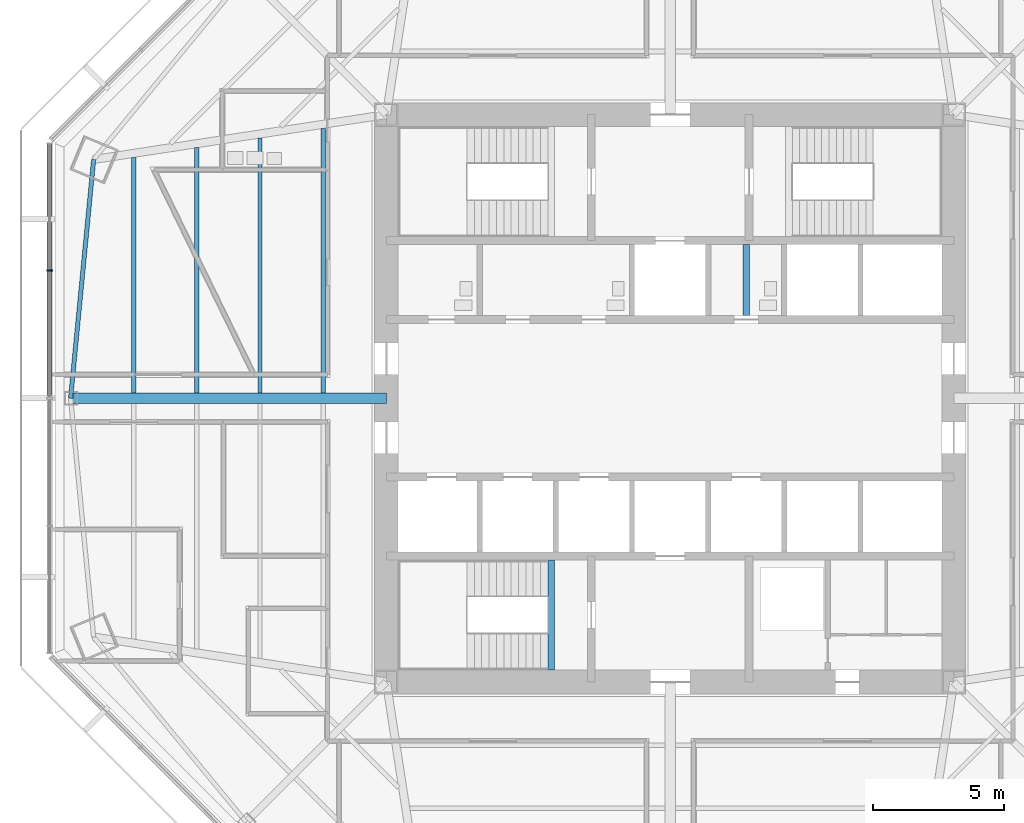
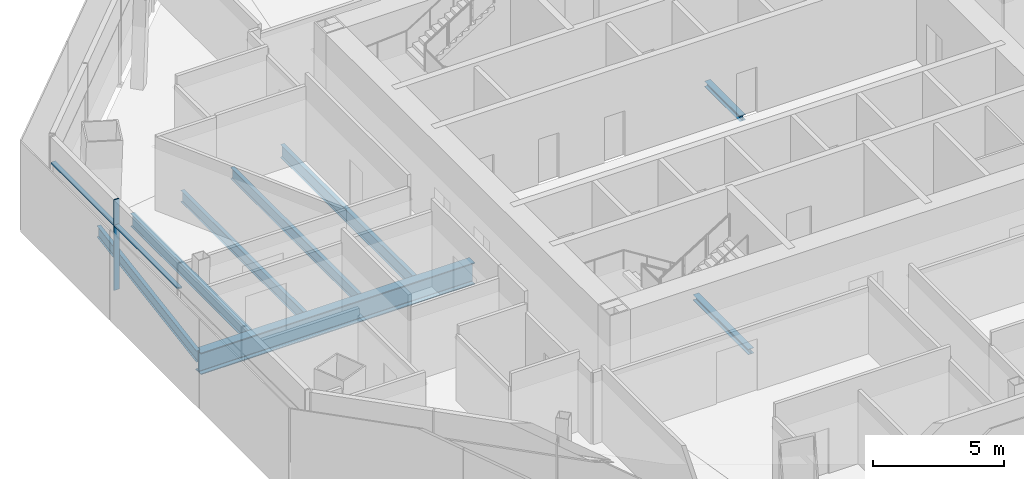
# One storey, part 3 of 15: 8 beams, 3 members, 1 element without a shape of its own.
"""IFC4 building model written with IfcOpenShell, lengths in metres."""

from ifc_helpers import new_model, si_unit, direction, frame, origin, origin_2d, place, context, subcontext, project, spatial, rectangle, i_section, extrude, source, transform, mapped, material, material_profile, profile_set, type_object, type_shapes, element, aggregate, save


model = new_model("IFC4")

# Units and contexts
model_context = context("Model", 3, precision=1e-05, world=origin(), true_north=direction((0.0, 1.0)))
body_context = subcontext(model_context, "Body", "Model", "MODEL_VIEW")
ifc_project = project(units=[si_unit("LENGTHUNIT", "METRE"), si_unit("AREAUNIT", "SQUARE_METRE"), si_unit("VOLUMEUNIT", "CUBIC_METRE"), si_unit("PLANEANGLEUNIT", "RADIAN"), si_unit("MASSUNIT", "GRAM", prefix="KILO")], contexts=[model_context])

# Site, building, storey
site_placement = place(None, origin())
site = spatial("IfcSite", under=ifc_project, at=site_placement, CompositionType="ELEMENT")
building_placement = place(site_placement, origin())
building = spatial("IfcBuilding", under=site, at=building_placement, Name="Mashrafa Tower", CompositionType="ELEMENT")
storey_placement = place(building_placement, frame((0.0, 0.0, 155.39990234375)))
storey = spatial("IfcBuildingStorey", under=building, at=storey_placement, Name="L35", CompositionType="ELEMENT", Elevation=155.39990234375)

# Beams
ifc_material_1 = material(Name="Steel ASTM A992", Category="steel")
ifc_material_profile_1 = material_profile(ifc_material_1, i_section(OverallWidth=0.1650390625, OverallDepth=0.52587890625, WebThickness=0.0087890625, FlangeThickness=0.011474609375, FilletRadius=0.0126953125, at=origin_2d()), Name="W21X44")
ifc_profile_set_1 = profile_set([ifc_material_profile_1], Name="Steel ASTM A992")
beam_type_1 = type_object("IfcBeamType", Name="Beam W21X44", PredefinedType="BEAM", material=ifc_profile_set_1)
beam_1_placement = place(storey_placement, frame((-18.013916015625, 0.20068359375, -0.427734375), z_axis=(0.0, 1.0, 0.0), x_axis=(-1.0, 0.0, 0.0)))
element("IfcBeam", 1, at=beam_1_placement, inside=storey, type_object=beam_type_1, Name="Floor beam L35 005", PredefinedType="BEAM", context=body_context, shape_type="SweptSolid", body=[
    extrude(i_section(OverallWidth=0.1650390625, OverallDepth=0.52587890625, WebThickness=0.0087890625, FlangeThickness=0.011474609375, FilletRadius=0.0126953125, at=origin_2d()), origin(), (0.0, 0.0, 1.0), 9.3369140625),
])
beam_2_placement = place(storey_placement, frame((-15.609375, 0.20068359375, -0.427734375), z_axis=(0.0, 1.0, 0.0), x_axis=(-1.0, 0.0, 0.0)))
element("IfcBeam", 2, at=beam_2_placement, inside=storey, type_object=beam_type_1, Name="Floor beam L35 007", PredefinedType="BEAM", context=body_context, shape_type="SweptSolid", body=[
    extrude(i_section(OverallWidth=0.1650390625, OverallDepth=0.52587890625, WebThickness=0.0087890625, FlangeThickness=0.011474609375, FilletRadius=0.0126953125, at=origin_2d()), origin(), (0.0, 0.0, 1.0), 9.705810546875),
])
beam_3_placement = place(storey_placement, frame((-21.945068359375, 9.090087890625, -0.427734375), z_axis=(-0.096160155008, -0.995365874736, 0.0), x_axis=(0.995365874736, -0.096160155008, 0.0)))
element("IfcBeam", 3, at=beam_3_placement, inside=storey, type_object=beam_type_1, Name="Spandrel beam L35 067", PredefinedType="BEAM", context=body_context, shape_type="SweptSolid", body=[
    extrude(i_section(OverallWidth=0.1650390625, OverallDepth=0.52587890625, WebThickness=0.0087890625, FlangeThickness=0.011474609375, FilletRadius=0.0126953125, at=origin_2d()), origin(), (0.0, 0.0, 1.0), 9.13232421875),
])
ifc_material_2 = material(Name="Steel ASTM A992", Category="steel")
ifc_material_profile_2 = material_profile(ifc_material_2, i_section(OverallWidth=0.177978515625, OverallDepth=0.599365234375, WebThickness=0.010009765625, FlangeThickness=0.012939453125, FilletRadius=0.012939453125, at=origin_2d()), Name="W24X55")
ifc_profile_set_2 = profile_set([ifc_material_profile_2], Name="Steel ASTM A992")
beam_type_2 = type_object("IfcBeamType", Name="Beam W24X55", PredefinedType="BEAM", material=ifc_profile_set_2)
beam_4_placement = place(storey_placement, frame((-20.418701171875, 0.20068359375, -0.464599609375), z_axis=(0.0, 1.0, 0.0), x_axis=(-1.0, 0.0, 0.0)))
element("IfcBeam", 4, at=beam_4_placement, inside=storey, type_object=beam_type_2, Name="Floor beam L35 002", PredefinedType="BEAM", context=body_context, shape_type="SweptSolid", body=[
    extrude(i_section(OverallWidth=0.177978515625, OverallDepth=0.599365234375, WebThickness=0.010009765625, FlangeThickness=0.012939453125, FilletRadius=0.012939453125, at=origin_2d()), origin(), (0.0, 0.0, 1.0), 8.968017578125),
])
beam_5_placement = place(storey_placement, frame((-13.20458984375, 0.20068359375, -0.464599609375), z_axis=(0.0, 1.0, 0.0), x_axis=(-1.0, 0.0, 0.0)))
element("IfcBeam", 5, at=beam_5_placement, inside=storey, type_object=beam_type_2, Name="Floor beam L35 012", PredefinedType="BEAM", context=body_context, shape_type="SweptSolid", body=[
    extrude(i_section(OverallWidth=0.177978515625, OverallDepth=0.599365234375, WebThickness=0.010009765625, FlangeThickness=0.012939453125, FilletRadius=0.012939453125, at=origin_2d()), origin(), (0.0, 0.0, 1.0), 10.074951171875),
])
ifc_material_3 = material(Name="Steel ASTM A992", Category="steel")
ifc_material_profile_3 = material_profile(ifc_material_3, i_section(OverallWidth=0.4013671875, OverallDepth=1.010986328125, WebThickness=0.023681640625, FlangeThickness=0.0419921875, FilletRadius=0.02001953125, at=origin_2d()), Name="W40X297")
ifc_profile_set_3 = profile_set([ifc_material_profile_3], Name="Steel ASTM A992")
beam_type_3 = type_object("IfcBeamType", Name="Beam W40X297", PredefinedType="BEAM", material=ifc_profile_set_3)
beam_6_placement = place(storey_placement, frame((-10.800048828125, 0.0, -0.67041015625), z_axis=(-1.0, 0.0, 0.0), x_axis=(0.0, -1.0, 0.0)))
element("IfcBeam", 6, at=beam_6_placement, inside=storey, type_object=beam_type_3, Name="Radial girder L35 052", PredefinedType="BEAM", context=body_context, shape_type="SweptSolid", body=[
    extrude(i_section(OverallWidth=0.4013671875, OverallDepth=1.010986328125, WebThickness=0.023681640625, FlangeThickness=0.0419921875, FilletRadius=0.02001953125, at=origin_2d()), origin(), (0.0, 0.0, 1.0), 12.023193359375),
])
ifc_material_4 = material(Name="Steel ASTM A992", Category="steel")
ifc_material_profile_4 = material_profile(ifc_material_4, i_section(OverallWidth=0.25390625, OverallDepth=0.25390625, WebThickness=0.008544921875, FlangeThickness=0.01416015625, FilletRadius=0.010009765625, at=origin_2d()), Name="W10X49")
ifc_profile_set_4 = profile_set([ifc_material_profile_4], Name="Steel ASTM A992")
beam_type_4 = type_object("IfcBeamType", Name="Hoistway beam W10X49", PredefinedType="BEAM", material=ifc_profile_set_4)
beam_7_placement = place(storey_placement, frame((2.89990234375, 3.14990234375, -0.2919921875), z_axis=(0.0, 1.0, 0.0), x_axis=(-1.0, 0.0, 0.0)))
element("IfcBeam", 7, at=beam_7_placement, inside=storey, type_object=beam_type_4, Name="Hoistway beam L35 06", PredefinedType="BEAM", context=body_context, shape_type="SweptSolid", body=[
    extrude(i_section(OverallWidth=0.25390625, OverallDepth=0.25390625, WebThickness=0.008544921875, FlangeThickness=0.01416015625, FilletRadius=0.010009765625, at=origin_2d()), origin(), (0.0, 0.0, 1.0), 2.7001953125),
])
beam_8_placement = place(storey_placement, frame((-4.530029296875, -10.35009765625, -0.326904296875), z_axis=(0.0, 1.0, 0.0), x_axis=(-1.0, 0.0, 0.0)))
element("IfcBeam", 8, at=beam_8_placement, inside=storey, type_object=beam_type_4, Name="Stair S3 landing beam L35", PredefinedType="BEAM", context=body_context, shape_type="SweptSolid", body=[
    extrude(i_section(OverallWidth=0.25390625, OverallDepth=0.25390625, WebThickness=0.008544921875, FlangeThickness=0.01416015625, FilletRadius=0.010009765625, at=origin_2d()), origin(), (0.0, 0.0, 1.0), 4.2001953125),
])

# Curtain wall, members
ifc_material_5 = material(Name="Unitised aluminium curtain wall", Category="aluminium")
curtain_wall_type = type_object("IfcCurtainWallType", Name="Office curtain wall, zone 2 CW-B 225 deep", PredefinedType="NOTDEFINED", material=ifc_material_5)
curtain_wall_placement = place(storey_placement, origin())
curtain_wall = element("IfcCurtainWall", 9, at=curtain_wall_placement, inside=storey, type_object=curtain_wall_type, Name="Office curtain wall, zone 2 L35 west", PredefinedType="NOTDEFINED")
ifc_material_6 = material(Name="Extruded aluminium mullion", Category="aluminium")
ifc_material_profile_5 = material_profile(ifc_material_6, rectangle(XDim=0.22509765625, YDim=0.06494140625, at=origin_2d()), Name="Mullion 65x225")
ifc_profile_set_5 = profile_set([ifc_material_profile_5], Name="Extruded aluminium mullion")
member_type_1 = type_object("IfcMemberType", Name="Mullion CW-B 65 x 225", PredefinedType="MULLION", material=ifc_profile_set_5)
shared_shape_1 = source(origin(), body_context, "Body", "SweptSolid", [
    extrude(rectangle(XDim=0.22509765625, YDim=0.06494140625, at=origin_2d()), origin(), (0.0, 0.0, 1.0), 4.2001953125),
])
type_shapes(member_type_1, [shared_shape_1])
member_1_placement = place(storey_placement, frame((-23.61865234375, 4.86328125, 0.0), z_axis=(0.0, 0.0, 1.0), x_axis=(1.0, 0.0, 0.0)))
member_1 = element("IfcMember", 10, at=member_1_placement, type_object=member_type_1, Name="CW-B mullion 2", PredefinedType="MULLION", context=body_context, shape_type="MappedRepresentation", body=[
    mapped(shared_shape_1, transform((0.0, 0.0, 0.0))),
])
ifc_material_7 = material(Name="Extruded aluminium transom", Category="aluminium")
ifc_material_profile_6 = material_profile(ifc_material_7, rectangle(XDim=0.179931640625, YDim=0.080078125, at=origin_2d()), Name="Transom 80x180")
ifc_profile_set_6 = profile_set([ifc_material_profile_6], Name="Extruded aluminium transom")
member_type_2 = type_object("IfcMemberType", Name="Transom CW-B 80 x 180", PredefinedType="MULLION", material=ifc_profile_set_6)
shared_shape_2 = source(origin(), body_context, "Body", "SweptSolid", [
    extrude(rectangle(XDim=0.179931640625, YDim=0.080078125, at=origin_2d()), origin(), (0.0, 0.0, 1.0), 4.765869140625),
])
member_2_placement = place(storey_placement, frame((-23.61865234375, 9.66162109375, 3.0), z_axis=(0.0, -1.0, 0.0), x_axis=(1.0, 0.0, 0.0)))
member_2 = element("IfcMember", 11, at=member_2_placement, type_object=member_type_2, Name="CW-B transom 1", PredefinedType="MULLION", context=body_context, shape_type="MappedRepresentation", body=[
    mapped(shared_shape_2, transform((0.0, 0.0, 0.0))),
])
shared_shape_3 = source(origin(), body_context, "Body", "SweptSolid", [
    extrude(rectangle(XDim=0.179931640625, YDim=0.080078125, at=origin_2d()), origin(), (0.0, 0.0, 1.0), 4.79833984375),
])
type_shapes(member_type_2, [shared_shape_2, shared_shape_3])
member_3_placement = place(storey_placement, frame((-23.61865234375, 4.830810546875, 3.0), z_axis=(0.0, -1.0, 0.0), x_axis=(1.0, 0.0, 0.0)))
member_3 = element("IfcMember", 12, at=member_3_placement, type_object=member_type_2, Name="CW-B transom 2", PredefinedType="MULLION", context=body_context, shape_type="MappedRepresentation", body=[
    mapped(shared_shape_3, transform((0.0, 0.0, 0.0))),
])
aggregate(curtain_wall, [member_1, member_2, member_3])

save(model, "model.ifc")
